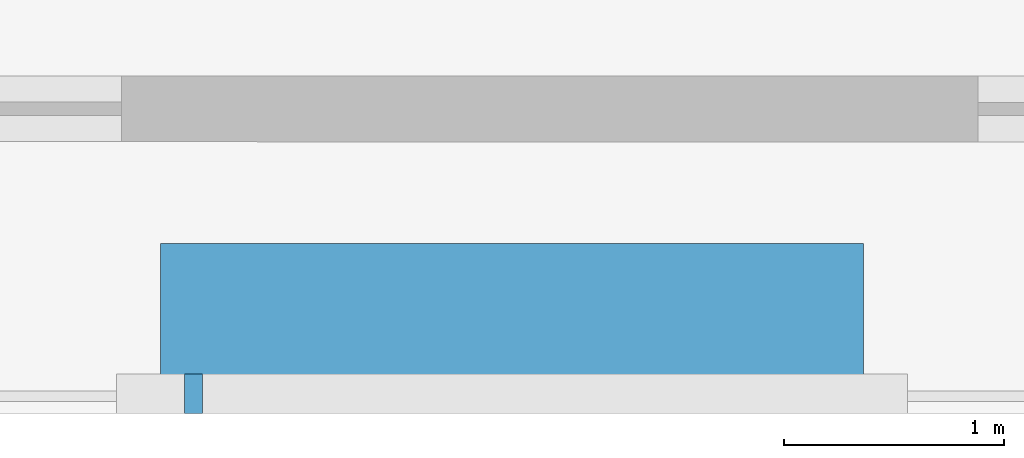
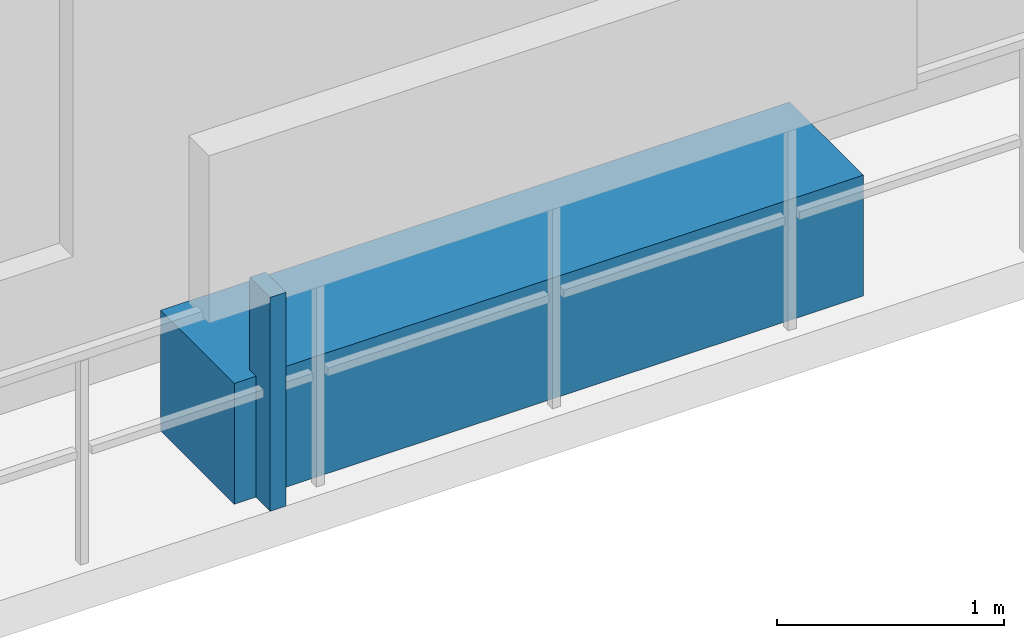
# One storey, part 29 of 34: 2 discrete accessories.
"""IFC4 building model written with IfcOpenShell, lengths in metres."""

from ifc_helpers import new_model, si_unit, direction, frame, origin, origin_2d, place, context, subcontext, project, spatial, rectangle, extrude, material, type_object, element, save


model = new_model("IFC4")

# Units and contexts
model_context = context("Model", 3, precision=1e-05, world=origin(), true_north=direction((0.0, 1.0)))
body_context = subcontext(model_context, "Body", "Model", "MODEL_VIEW")
ifc_project = project(units=[si_unit("LENGTHUNIT", "METRE"), si_unit("AREAUNIT", "SQUARE_METRE"), si_unit("VOLUMEUNIT", "CUBIC_METRE"), si_unit("PLANEANGLEUNIT", "RADIAN"), si_unit("MASSUNIT", "GRAM", prefix="KILO")], contexts=[model_context])

# Site, building, storey
site_placement = place(None, origin())
site = spatial("IfcSite", under=ifc_project, at=site_placement, CompositionType="ELEMENT")
building_placement = place(site_placement, origin())
building = spatial("IfcBuilding", under=site, at=building_placement, Name="Thornwick Lancets Civic Towers", CompositionType="ELEMENT")
storey_placement = place(building_placement, frame((0.0, 0.0, 261.89990234375)))
storey = spatial("IfcBuildingStorey", under=building, at=storey_placement, Name="L70", CompositionType="ELEMENT", Elevation=261.89990234375)

# Discrete accessories
ifc_material_1 = material(Name="Planted terracotta greenery planter", Category="masonry")
discrete_accessory_type_1 = type_object("IfcDiscreteAccessoryType", Name="ACC_PLANTER_BOX", PredefinedType="USERDEFINED", material=ifc_material_1)
discrete_accessory_1_placement = place(storey_placement, frame((25.5, 2.300048828125, 0.000244140625), z_axis=(0.0, 0.0, 1.0), x_axis=(1.0, 0.0, 0.0)))
element("IfcDiscreteAccessory", 1, at=discrete_accessory_1_placement, inside=storey, type_object=discrete_accessory_type_1, Name="L70 Tower A Balcony Greenery Planter S", ObjectType="PLANTER", PredefinedType="USERDEFINED", context=body_context, shape_type="SweptSolid", body=[
    extrude(rectangle(XDim=3.199951171875, YDim=0.64990234375, at=origin_2d()), origin(), (0.0, 0.0, 1.0), 0.64990234375),
])
ifc_material_2 = material(Name="Stainless steel S355", Category="steel")
discrete_accessory_type_2 = type_object("IfcDiscreteAccessoryType", Name="ACC_SCREEN_BRACKET", PredefinedType="BRACKET", material=ifc_material_2)
discrete_accessory_2_placement = place(storey_placement, frame((24.050048828125, 1.93994140625, 0.000244140625), z_axis=(0.0, 0.0, 1.0), x_axis=(1.0, 0.0, 0.0)))
element("IfcDiscreteAccessory", 2, at=discrete_accessory_2_placement, inside=storey, type_object=discrete_accessory_type_2, Name="L70 Tower A Balcony Screen Stanchion Bracket S-1", PredefinedType="BRACKET", context=body_context, shape_type="SweptSolid", body=[
    extrude(rectangle(XDim=0.080078125, YDim=0.179931640625, at=origin_2d()), origin(), (0.0, 0.0, 1.0), 1.14990234375),
])

save(model, "model.ifc")
